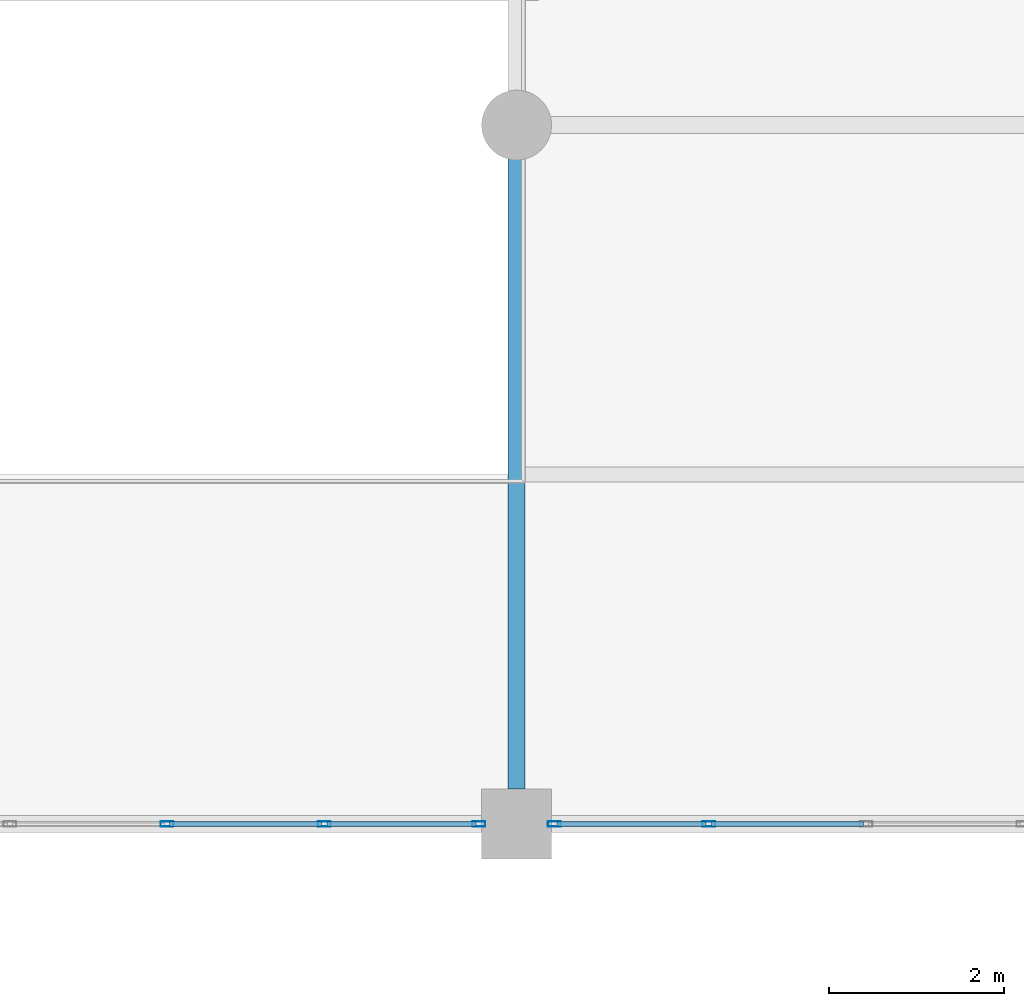
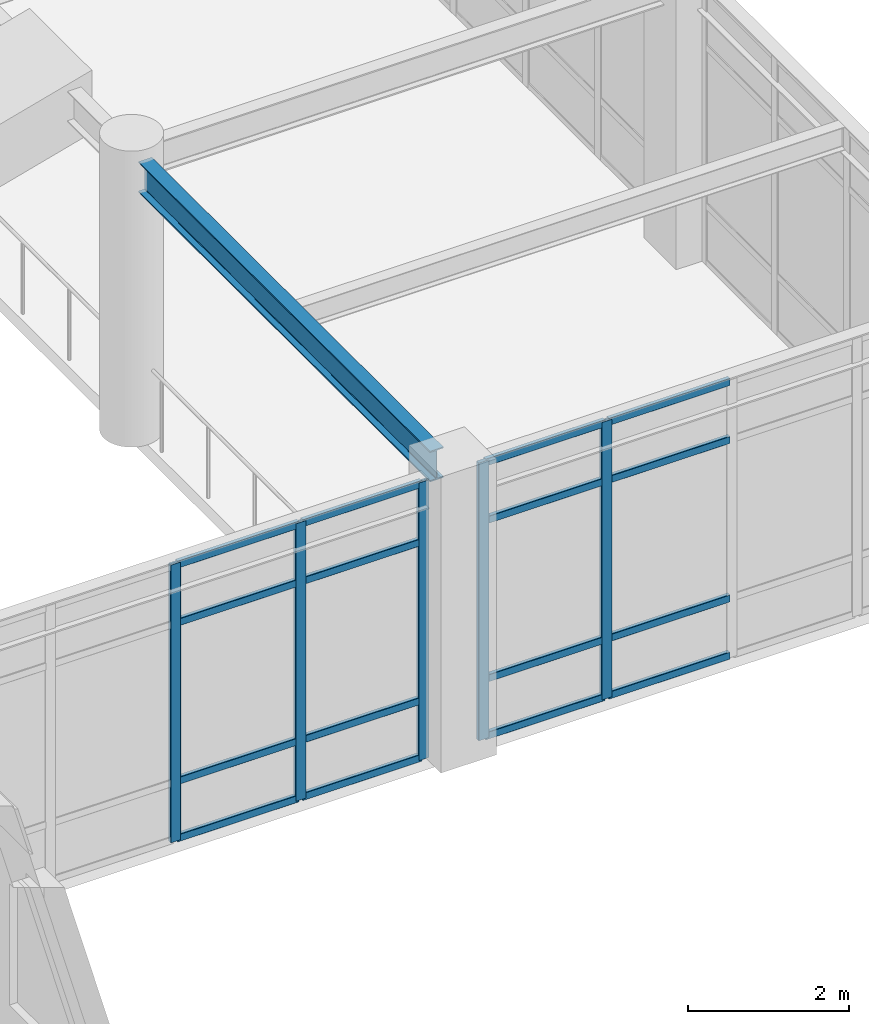
# One storey, part 31 of 78: 21 members, 1 beam, 2 elements without a shape of their own.
"""IFC4 building model written with IfcOpenShell, lengths in metres."""

from ifc_helpers import new_model, si_unit, direction, frame, origin, origin_2d, place, context, subcontext, project, spatial, hollow_rectangle, i_section, extrude, material, material_profile, profile_set, type_object, element, aggregate, save


model = new_model("IFC4")

# Units and contexts
model_context = context("Model", 3, precision=1e-05, world=origin(), true_north=direction((0.0, 1.0)))
body_context = subcontext(model_context, "Body", "Model", "MODEL_VIEW")
ifc_project = project(units=[si_unit("LENGTHUNIT", "METRE"), si_unit("AREAUNIT", "SQUARE_METRE"), si_unit("VOLUMEUNIT", "CUBIC_METRE"), si_unit("PLANEANGLEUNIT", "RADIAN"), si_unit("MASSUNIT", "GRAM", prefix="KILO")], contexts=[model_context])

# Site, building, storey
site_placement = place(None, origin())
site = spatial("IfcSite", under=ifc_project, at=site_placement, CompositionType="ELEMENT")
building_placement = place(site_placement, origin())
building = spatial("IfcBuilding", under=site, at=building_placement, Name="Solmirada Galleria", CompositionType="ELEMENT")
storey_placement = place(building_placement, frame((0.0, 0.0, 23.89990234375)))
storey = spatial("IfcBuildingStorey", under=building, at=storey_placement, Name="L05", CompositionType="ELEMENT", Elevation=23.89990234375)

# Beam
ifc_material_1 = material(Name="Steel S355 / ASTM A992 Grade 50", Category="steel")
ifc_material_profile_1 = material_profile(ifc_material_1, i_section(OverallWidth=0.193115234375, OverallDepth=0.466064453125, WebThickness=0.011474609375, FlangeThickness=0.01904296875, FilletRadius=0.013916015625, at=origin_2d()), Name="W18X65")
ifc_profile_set_1 = profile_set([ifc_material_profile_1], Name="Steel S355 / ASTM A992 Grade 50")
beam_type = type_object("IfcBeamType", Name="BM-GIRD-W18C", PredefinedType="BEAM", material=ifc_profile_set_1)
beam_placement = place(storey_placement, frame((104.0, 48.39990234375, 4.067138671875), z_axis=(0.0, 1.0, 0.0), x_axis=(-1.0, 0.0, 0.0)))
element("IfcBeam", 1, at=beam_placement, inside=storey, type_object=beam_type, Name="Primary girder L06 Y(104, 48..56)", PredefinedType="BEAM", context=body_context, shape_type="SweptSolid", body=[
    extrude(i_section(OverallWidth=0.193115234375, OverallDepth=0.466064453125, WebThickness=0.011474609375, FlangeThickness=0.01904296875, FilletRadius=0.013916015625, at=origin_2d()), origin(), (0.0, 0.0, 1.0), 7.26416015625),
])

# Curtain wall, members
ifc_material_2 = material(Name="Impact-resistant low-E double glazing", Category="glass")
curtain_wall_type = type_object("IfcCurtainWallType", Name="CW-FZ3-L05-B4-L072", PredefinedType="NOTDEFINED", material=ifc_material_2)
curtain_wall_1_placement = place(storey_placement, origin())
curtain_wall_1 = element("IfcCurtainWall", 2, at=curtain_wall_1_placement, inside=storey, type_object=curtain_wall_type, Name="Terrace and arcade storefront CW-L05-179", PredefinedType="NOTDEFINED")
ifc_material_3 = material(Name="Anodised aluminium framing", Category="aluminium")
ifc_material_profile_2 = material_profile(ifc_material_3, hollow_rectangle(XDim=0.06005859375, YDim=0.14990234375, WallThickness=0.00341796875, InnerFilletRadius=0.00341796875, OuterFilletRadius=0.007080078125, at=origin_2d()), Name="ALU-MULL-150X60")
ifc_profile_set_2 = profile_set([ifc_material_profile_2], Name="Anodised aluminium framing")
member_type_1 = type_object("IfcMemberType", Name="CW-MULL-150", PredefinedType="MULLION", material=ifc_profile_set_2)
member_1_placement = place(storey_placement, frame((106.200927734375, 48.0, 0.0), z_axis=(0.0, 0.0, 1.0), x_axis=(0.0, -1.0, 0.0)))
member_1 = element("IfcMember", 3, at=member_1_placement, type_object=member_type_1, Name="CW33 mullion 4", PredefinedType="MULLION", context=body_context, shape_type="SweptSolid", body=[
    extrude(hollow_rectangle(XDim=0.06005859375, YDim=0.14990234375, WallThickness=0.00341796875, InnerFilletRadius=0.00341796875, OuterFilletRadius=0.007080078125, at=origin_2d()), origin(), (0.0, 0.0, 1.0), 4.22021484375),
])
member_2_placement = place(storey_placement, frame((104.431884765625, 48.0, 0.0), z_axis=(0.0, 0.0, 1.0), x_axis=(0.0, -1.0, 0.0)))
member_2 = element("IfcMember", 4, at=member_2_placement, type_object=member_type_1, Name="CW33 mullion 5", PredefinedType="MULLION", context=body_context, shape_type="SweptSolid", body=[
    extrude(hollow_rectangle(XDim=0.06005859375, YDim=0.14990234375, WallThickness=0.00341796875, InnerFilletRadius=0.00341796875, OuterFilletRadius=0.007080078125, at=origin_2d()), origin(), (0.0, 0.0, 1.0), 4.22021484375),
])

curtain_wall_2_placement = place(storey_placement, origin())
curtain_wall_2 = element("IfcCurtainWall", 5, at=curtain_wall_2_placement, inside=storey, type_object=curtain_wall_type, Name="Terrace and arcade storefront CW-L05-180", PredefinedType="NOTDEFINED")
member_3_placement = place(storey_placement, frame((103.568115234375, 48.0, 0.0), z_axis=(0.0, 0.0, 1.0), x_axis=(0.0, -1.0, 0.0)))
member_3 = element("IfcMember", 6, at=member_3_placement, type_object=member_type_1, Name="CW33 mullion 1", PredefinedType="MULLION", context=body_context, shape_type="SweptSolid", body=[
    extrude(hollow_rectangle(XDim=0.06005859375, YDim=0.14990234375, WallThickness=0.00341796875, InnerFilletRadius=0.00341796875, OuterFilletRadius=0.007080078125, at=origin_2d()), origin(), (0.0, 0.0, 1.0), 4.22021484375),
])
member_4_placement = place(storey_placement, frame((101.799072265625, 48.0, 0.0), z_axis=(0.0, 0.0, 1.0), x_axis=(0.0, -1.0, 0.0)))
member_4 = element("IfcMember", 7, at=member_4_placement, type_object=member_type_1, Name="CW33 mullion 2", PredefinedType="MULLION", context=body_context, shape_type="SweptSolid", body=[
    extrude(hollow_rectangle(XDim=0.06005859375, YDim=0.14990234375, WallThickness=0.00341796875, InnerFilletRadius=0.00341796875, OuterFilletRadius=0.007080078125, at=origin_2d()), origin(), (0.0, 0.0, 1.0), 4.22021484375),
])
member_5_placement = place(storey_placement, frame((100.0, 48.0, 0.0), z_axis=(0.0, 0.0, 1.0), x_axis=(0.0, -1.0, 0.0)))
member_5 = element("IfcMember", 8, at=member_5_placement, type_object=member_type_1, Name="CW33 mullion 3", PredefinedType="MULLION", context=body_context, shape_type="SweptSolid", body=[
    extrude(hollow_rectangle(XDim=0.06005859375, YDim=0.14990234375, WallThickness=0.00341796875, InnerFilletRadius=0.00341796875, OuterFilletRadius=0.007080078125, at=origin_2d()), origin(), (0.0, 0.0, 1.0), 4.22021484375),
])

# Member
ifc_material_profile_3 = material_profile(ifc_material_3, hollow_rectangle(XDim=0.06005859375, YDim=0.110107421875, WallThickness=0.003173828125, InnerFilletRadius=0.003173828125, OuterFilletRadius=0.00634765625, at=origin_2d()), Name="ALU-TRAN-110X60")
ifc_profile_set_3 = profile_set([ifc_material_profile_3], Name="Anodised aluminium framing")
member_type_2 = type_object("IfcMemberType", Name="CW-TRAN-110", PredefinedType="USERDEFINED", material=ifc_profile_set_3)
member_6_placement = place(storey_placement, frame((107.969970703125, 48.0, 0.030029296875), z_axis=(-1.0, 0.0, 0.0), x_axis=(0.0, -1.0, 0.0)))
member_6 = element("IfcMember", 9, at=member_6_placement, type_object=member_type_2, Name="CW33 transom 3.1", ObjectType="TRANSOM", PredefinedType="USERDEFINED", context=body_context, shape_type="SweptSolid", body=[
    extrude(hollow_rectangle(XDim=0.06005859375, YDim=0.110107421875, WallThickness=0.003173828125, InnerFilletRadius=0.003173828125, OuterFilletRadius=0.00634765625, at=origin_2d()), origin(), (0.0, 0.0, 1.0), 1.739013671875),
])

member_7_placement = place(storey_placement, frame((107.969970703125, 48.0, 0.900146484375), z_axis=(-1.0, 0.0, 0.0), x_axis=(0.0, -1.0, 0.0)))
member_7 = element("IfcMember", 10, at=member_7_placement, type_object=member_type_2, Name="CW33 transom 3.2", ObjectType="TRANSOM", PredefinedType="USERDEFINED", context=body_context, shape_type="SweptSolid", body=[
    extrude(hollow_rectangle(XDim=0.06005859375, YDim=0.110107421875, WallThickness=0.003173828125, InnerFilletRadius=0.003173828125, OuterFilletRadius=0.00634765625, at=origin_2d()), origin(), (0.0, 0.0, 1.0), 1.739013671875),
])

member_8_placement = place(storey_placement, frame((107.969970703125, 48.0, 3.31005859375), z_axis=(-1.0, 0.0, 0.0), x_axis=(0.0, -1.0, 0.0)))
member_8 = element("IfcMember", 11, at=member_8_placement, type_object=member_type_2, Name="CW33 transom 3.3", ObjectType="TRANSOM", PredefinedType="USERDEFINED", context=body_context, shape_type="SweptSolid", body=[
    extrude(hollow_rectangle(XDim=0.06005859375, YDim=0.110107421875, WallThickness=0.003173828125, InnerFilletRadius=0.003173828125, OuterFilletRadius=0.00634765625, at=origin_2d()), origin(), (0.0, 0.0, 1.0), 1.739013671875),
])

member_9_placement = place(storey_placement, frame((107.969970703125, 48.0, 4.190185546875), z_axis=(-1.0, 0.0, 0.0), x_axis=(0.0, -1.0, 0.0)))
member_9 = element("IfcMember", 12, at=member_9_placement, type_object=member_type_2, Name="CW33 transom 3.4", ObjectType="TRANSOM", PredefinedType="USERDEFINED", context=body_context, shape_type="SweptSolid", body=[
    extrude(hollow_rectangle(XDim=0.06005859375, YDim=0.110107421875, WallThickness=0.003173828125, InnerFilletRadius=0.003173828125, OuterFilletRadius=0.00634765625, at=origin_2d()), origin(), (0.0, 0.0, 1.0), 1.739013671875),
])

member_10_placement = place(storey_placement, frame((106.1708984375, 48.0, 0.030029296875), z_axis=(-1.0, 0.0, 0.0), x_axis=(0.0, -1.0, 0.0)))
member_10 = element("IfcMember", 13, at=member_10_placement, type_object=member_type_2, Name="CW33 transom 4.1", ObjectType="TRANSOM", PredefinedType="USERDEFINED", context=body_context, shape_type="SweptSolid", body=[
    extrude(hollow_rectangle(XDim=0.06005859375, YDim=0.110107421875, WallThickness=0.003173828125, InnerFilletRadius=0.003173828125, OuterFilletRadius=0.00634765625, at=origin_2d()), origin(), (0.0, 0.0, 1.0), 1.708984375),
])

member_11_placement = place(storey_placement, frame((106.1708984375, 48.0, 0.900146484375), z_axis=(-1.0, 0.0, 0.0), x_axis=(0.0, -1.0, 0.0)))
member_11 = element("IfcMember", 14, at=member_11_placement, type_object=member_type_2, Name="CW33 transom 4.2", ObjectType="TRANSOM", PredefinedType="USERDEFINED", context=body_context, shape_type="SweptSolid", body=[
    extrude(hollow_rectangle(XDim=0.06005859375, YDim=0.110107421875, WallThickness=0.003173828125, InnerFilletRadius=0.003173828125, OuterFilletRadius=0.00634765625, at=origin_2d()), origin(), (0.0, 0.0, 1.0), 1.708984375),
])

member_12_placement = place(storey_placement, frame((106.1708984375, 48.0, 3.31005859375), z_axis=(-1.0, 0.0, 0.0), x_axis=(0.0, -1.0, 0.0)))
member_12 = element("IfcMember", 15, at=member_12_placement, type_object=member_type_2, Name="CW33 transom 4.3", ObjectType="TRANSOM", PredefinedType="USERDEFINED", context=body_context, shape_type="SweptSolid", body=[
    extrude(hollow_rectangle(XDim=0.06005859375, YDim=0.110107421875, WallThickness=0.003173828125, InnerFilletRadius=0.003173828125, OuterFilletRadius=0.00634765625, at=origin_2d()), origin(), (0.0, 0.0, 1.0), 1.708984375),
])

member_13_placement = place(storey_placement, frame((106.1708984375, 48.0, 4.190185546875), z_axis=(-1.0, 0.0, 0.0), x_axis=(0.0, -1.0, 0.0)))
member_13 = element("IfcMember", 16, at=member_13_placement, type_object=member_type_2, Name="CW33 transom 4.4", ObjectType="TRANSOM", PredefinedType="USERDEFINED", context=body_context, shape_type="SweptSolid", body=[
    extrude(hollow_rectangle(XDim=0.06005859375, YDim=0.110107421875, WallThickness=0.003173828125, InnerFilletRadius=0.003173828125, OuterFilletRadius=0.00634765625, at=origin_2d()), origin(), (0.0, 0.0, 1.0), 1.708984375),
])

aggregate(curtain_wall_1, [member_1, member_2, member_6, member_7, member_8, member_9, member_10, member_11, member_12, member_13])

member_14_placement = place(storey_placement, frame((103.5380859375, 48.0, 0.030029296875), z_axis=(-1.0, 0.0, 0.0), x_axis=(0.0, -1.0, 0.0)))
member_14 = element("IfcMember", 17, at=member_14_placement, type_object=member_type_2, Name="CW33 transom 1.1", ObjectType="TRANSOM", PredefinedType="USERDEFINED", context=body_context, shape_type="SweptSolid", body=[
    extrude(hollow_rectangle(XDim=0.06005859375, YDim=0.110107421875, WallThickness=0.003173828125, InnerFilletRadius=0.003173828125, OuterFilletRadius=0.00634765625, at=origin_2d()), origin(), (0.0, 0.0, 1.0), 1.708984375),
])

member_15_placement = place(storey_placement, frame((103.5380859375, 48.0, 0.900146484375), z_axis=(-1.0, 0.0, 0.0), x_axis=(0.0, -1.0, 0.0)))
member_15 = element("IfcMember", 18, at=member_15_placement, type_object=member_type_2, Name="CW33 transom 1.2", ObjectType="TRANSOM", PredefinedType="USERDEFINED", context=body_context, shape_type="SweptSolid", body=[
    extrude(hollow_rectangle(XDim=0.06005859375, YDim=0.110107421875, WallThickness=0.003173828125, InnerFilletRadius=0.003173828125, OuterFilletRadius=0.00634765625, at=origin_2d()), origin(), (0.0, 0.0, 1.0), 1.708984375),
])

member_16_placement = place(storey_placement, frame((103.5380859375, 48.0, 3.31005859375), z_axis=(-1.0, 0.0, 0.0), x_axis=(0.0, -1.0, 0.0)))
member_16 = element("IfcMember", 19, at=member_16_placement, type_object=member_type_2, Name="CW33 transom 1.3", ObjectType="TRANSOM", PredefinedType="USERDEFINED", context=body_context, shape_type="SweptSolid", body=[
    extrude(hollow_rectangle(XDim=0.06005859375, YDim=0.110107421875, WallThickness=0.003173828125, InnerFilletRadius=0.003173828125, OuterFilletRadius=0.00634765625, at=origin_2d()), origin(), (0.0, 0.0, 1.0), 1.708984375),
])

member_17_placement = place(storey_placement, frame((103.5380859375, 48.0, 4.190185546875), z_axis=(-1.0, 0.0, 0.0), x_axis=(0.0, -1.0, 0.0)))
member_17 = element("IfcMember", 20, at=member_17_placement, type_object=member_type_2, Name="CW33 transom 1.4", ObjectType="TRANSOM", PredefinedType="USERDEFINED", context=body_context, shape_type="SweptSolid", body=[
    extrude(hollow_rectangle(XDim=0.06005859375, YDim=0.110107421875, WallThickness=0.003173828125, InnerFilletRadius=0.003173828125, OuterFilletRadius=0.00634765625, at=origin_2d()), origin(), (0.0, 0.0, 1.0), 1.708984375),
])

member_18_placement = place(storey_placement, frame((101.76904296875, 48.0, 0.030029296875), z_axis=(-1.0, 0.0, 0.0), x_axis=(0.0, -1.0, 0.0)))
member_18 = element("IfcMember", 21, at=member_18_placement, type_object=member_type_2, Name="CW33 transom 2.1", ObjectType="TRANSOM", PredefinedType="USERDEFINED", context=body_context, shape_type="SweptSolid", body=[
    extrude(hollow_rectangle(XDim=0.06005859375, YDim=0.110107421875, WallThickness=0.003173828125, InnerFilletRadius=0.003173828125, OuterFilletRadius=0.00634765625, at=origin_2d()), origin(), (0.0, 0.0, 1.0), 1.739013671875),
])

member_19_placement = place(storey_placement, frame((101.76904296875, 48.0, 0.900146484375), z_axis=(-1.0, 0.0, 0.0), x_axis=(0.0, -1.0, 0.0)))
member_19 = element("IfcMember", 22, at=member_19_placement, type_object=member_type_2, Name="CW33 transom 2.2", ObjectType="TRANSOM", PredefinedType="USERDEFINED", context=body_context, shape_type="SweptSolid", body=[
    extrude(hollow_rectangle(XDim=0.06005859375, YDim=0.110107421875, WallThickness=0.003173828125, InnerFilletRadius=0.003173828125, OuterFilletRadius=0.00634765625, at=origin_2d()), origin(), (0.0, 0.0, 1.0), 1.739013671875),
])

member_20_placement = place(storey_placement, frame((101.76904296875, 48.0, 3.31005859375), z_axis=(-1.0, 0.0, 0.0), x_axis=(0.0, -1.0, 0.0)))
member_20 = element("IfcMember", 23, at=member_20_placement, type_object=member_type_2, Name="CW33 transom 2.3", ObjectType="TRANSOM", PredefinedType="USERDEFINED", context=body_context, shape_type="SweptSolid", body=[
    extrude(hollow_rectangle(XDim=0.06005859375, YDim=0.110107421875, WallThickness=0.003173828125, InnerFilletRadius=0.003173828125, OuterFilletRadius=0.00634765625, at=origin_2d()), origin(), (0.0, 0.0, 1.0), 1.739013671875),
])

member_21_placement = place(storey_placement, frame((101.76904296875, 48.0, 4.190185546875), z_axis=(-1.0, 0.0, 0.0), x_axis=(0.0, -1.0, 0.0)))
member_21 = element("IfcMember", 24, at=member_21_placement, type_object=member_type_2, Name="CW33 transom 2.4", ObjectType="TRANSOM", PredefinedType="USERDEFINED", context=body_context, shape_type="SweptSolid", body=[
    extrude(hollow_rectangle(XDim=0.06005859375, YDim=0.110107421875, WallThickness=0.003173828125, InnerFilletRadius=0.003173828125, OuterFilletRadius=0.00634765625, at=origin_2d()), origin(), (0.0, 0.0, 1.0), 1.739013671875),
])

aggregate(curtain_wall_2, [member_3, member_4, member_5, member_14, member_15, member_16, member_17, member_18, member_19, member_20, member_21])

save(model, "model.ifc")
